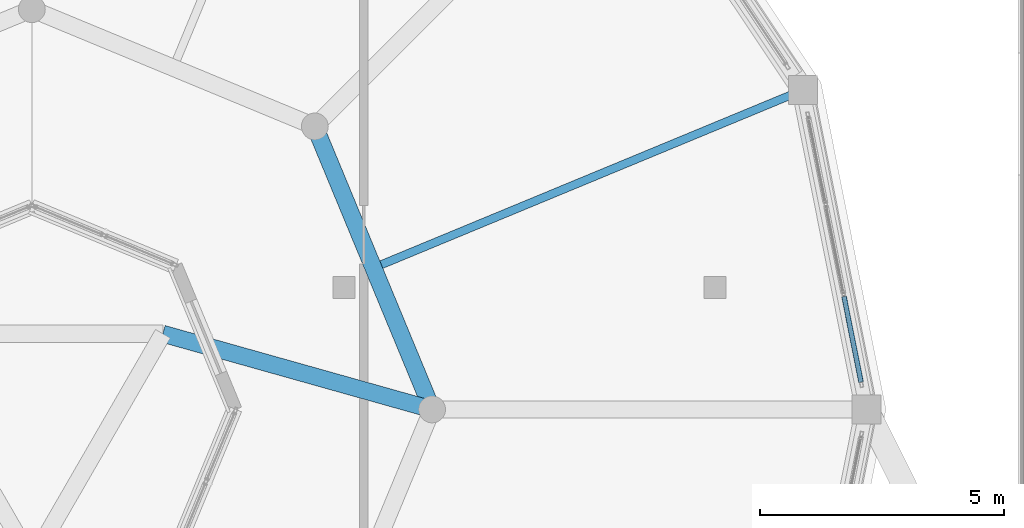
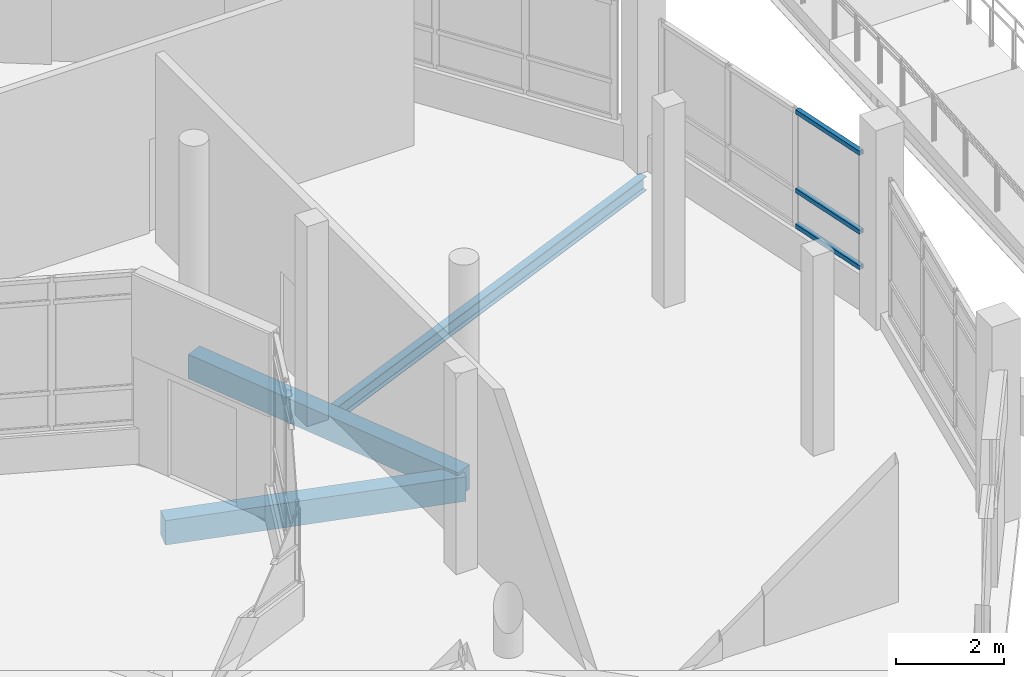
# One storey, part 75 of 129: 3 beams, 3 members, 1 element without a shape of its own.
"""IFC4 building model written with IfcOpenShell, lengths in metres."""

from ifc_helpers import new_model, si_unit, direction, frame, origin, origin_2d, place, context, subcontext, project, spatial, rectangle, hollow_rectangle, i_section, extrude, material, layer, layer_set, material_profile, profile_set, type_object, element, aggregate, save


model = new_model("IFC4")

# Units and contexts
model_context = context("Model", 3, precision=1e-05, world=origin(), true_north=direction((0.0, 1.0)))
body_context = subcontext(model_context, "Body", "Model", "MODEL_VIEW")
ifc_project = project(units=[si_unit("LENGTHUNIT", "METRE"), si_unit("AREAUNIT", "SQUARE_METRE"), si_unit("VOLUMEUNIT", "CUBIC_METRE"), si_unit("PLANEANGLEUNIT", "RADIAN"), si_unit("MASSUNIT", "GRAM", prefix="KILO")], contexts=[model_context])

# Site, building, storey
site_placement = place(None, origin())
site = spatial("IfcSite", under=ifc_project, at=site_placement, CompositionType="ELEMENT")
building_placement = place(site_placement, origin())
building = spatial("IfcBuilding", under=site, at=building_placement, Name="Vespera Passage Community Centre", CompositionType="ELEMENT")
storey_placement = place(building_placement, origin())
storey = spatial("IfcBuildingStorey", under=building, at=storey_placement, Name="L00", CompositionType="ELEMENT", Elevation=0.0)

# Beams
ifc_material_1 = material(Name="Concrete f'c 35 MPa", Category="concrete")
ifc_material_profile_1 = material_profile(ifc_material_1, rectangle(XDim=0.35009765625, YDim=0.550048828125, at=origin_2d()), Name="RC350X550")
ifc_profile_set_1 = profile_set([ifc_material_profile_1], Name="Concrete f'c 35 MPa")
beam_type_1 = type_object("IfcBeamType", Name="BM-J-350X550", PredefinedType="JOIST", material=ifc_profile_set_1)
beam_1_placement = place(storey_placement, frame((149.199951171875, 25.0, -0.554931640625), z_axis=(-0.382664436252, 0.92388740073, 0.0), x_axis=(-0.92388740073, -0.382664436252, 0.0)))
element("IfcBeam", 1, at=beam_1_placement, inside=storey, type_object=beam_type_1, Name="V3 L00 Inner Ring Beam 1", PredefinedType="JOIST", context=body_context, shape_type="SweptSolid", body=[
    extrude(rectangle(XDim=0.35009765625, YDim=0.550048828125, at=origin_2d()), origin(), (0.0, 0.0, 1.0), 6.276123046875),
])
beam_2_placement = place(storey_placement, frame((143.684814453125, 26.550048828125, -0.614990234375), z_axis=(0.962700212454, -0.270570325315, 0.0), x_axis=(0.270570325315, 0.962700212454, 0.0)))
element("IfcBeam", 2, at=beam_2_placement, inside=storey, type_object=beam_type_1, Name="V3 Courtyard Paving Tie Beam", PredefinedType="JOIST", context=body_context, shape_type="SweptSolid", body=[
    extrude(rectangle(XDim=0.35009765625, YDim=0.550048828125, at=origin_2d()), origin(), (0.0, 0.0, 1.0), 5.728759765625),
])
ifc_material_2 = material(Name="Steel ASTM A992 Grade 50", Category="steel")
ifc_material_profile_2 = material_profile(ifc_material_2, i_section(OverallWidth=0.16650390625, OverallDepth=0.3173828125, WebThickness=0.007568359375, FlangeThickness=0.01318359375, FilletRadius=0.007568359375, at=origin_2d()), Name="W12X35")
ifc_profile_set_2 = profile_set([ifc_material_profile_2], Name="Steel ASTM A992 Grade 50")
beam_type_2 = type_object("IfcBeamType", Name="BM-J-W12X35", PredefinedType="JOIST", material=ifc_profile_set_2)
beam_3_placement = place(storey_placement, frame((147.9990234375, 27.899169921875, -0.438720703125), z_axis=(0.923880304795, 0.382681567901, 0.0), x_axis=(-0.382681567901, 0.923880304795, 0.0)))
element("IfcBeam", 3, at=beam_3_placement, inside=storey, type_object=beam_type_2, Name="V3 L00 Secondary Joist 1", PredefinedType="JOIST", context=body_context, shape_type="SweptSolid", body=[
    extrude(i_section(OverallWidth=0.16650390625, OverallDepth=0.3173828125, WebThickness=0.007568359375, FlangeThickness=0.01318359375, FilletRadius=0.007568359375, at=origin_2d()), origin(), (0.0, 0.0, 1.0), 9.5244140625),
])

# Curtain wall, members
ifc_material_3 = material(Name="Anodized aluminium 6063-T6", Category="aluminium")
ifc_layer = layer(ifc_material_3, 0.159912109375)
ifc_layer_set = layer_set([ifc_layer], Name="Anodized aluminium 6063-T6")
curtain_wall_type = type_object("IfcCurtainWallType", Name="CW-101E", PredefinedType="NOTDEFINED", material=ifc_layer_set)
curtain_wall_placement = place(storey_placement, origin())
curtain_wall = element("IfcCurtainWall", 4, at=curtain_wall_placement, inside=storey, type_object=curtain_wall_type, Name="Dining Drum Ribbon Curtain Wall L00.1", PredefinedType="NOTDEFINED")
ifc_material_4 = material(Name="Anodized aluminium 6063-T6", Category="aluminium")
ifc_material_profile_3 = material_profile(ifc_material_4, hollow_rectangle(XDim=0.10009765625, YDim=0.10009765625, WallThickness=0.00390625, InnerFilletRadius=0.001953125, OuterFilletRadius=0.00390625, at=origin_2d()), Name="ALU100X100X4")
ifc_profile_set_3 = profile_set([ifc_material_profile_3], Name="Anodized aluminium 6063-T6")
member_type = type_object("IfcMemberType", Name="MB-CWT-100E", PredefinedType="USERDEFINED", material=ifc_profile_set_3)
member_1_placement = place(storey_placement, frame((157.6396484375, 27.31494140625, 0.85009765625), z_axis=(0.194987665203, -0.980805694528, 0.0), x_axis=(0.980805694528, 0.194987665203, 0.0)))
member_1 = element("IfcMember", 5, at=member_1_placement, type_object=member_type, Name="CW-101E transom 3.1", ObjectType="TRANSOM", PredefinedType="USERDEFINED", context=body_context, shape_type="SweptSolid", body=[
    extrude(hollow_rectangle(XDim=0.10009765625, YDim=0.10009765625, WallThickness=0.00390625, InnerFilletRadius=0.001953125, OuterFilletRadius=0.00390625, at=origin_2d()), origin(), (0.0, 0.0, 1.0), 1.789306640625),
])
member_2_placement = place(storey_placement, frame((157.6396484375, 27.31494140625, 1.64990234375), z_axis=(0.194987665203, -0.980805694528, 0.0), x_axis=(0.980805694528, 0.194987665203, 0.0)))
member_2 = element("IfcMember", 6, at=member_2_placement, type_object=member_type, Name="CW-101E transom 3.2", ObjectType="TRANSOM", PredefinedType="USERDEFINED", context=body_context, shape_type="SweptSolid", body=[
    extrude(hollow_rectangle(XDim=0.10009765625, YDim=0.10009765625, WallThickness=0.00390625, InnerFilletRadius=0.001953125, OuterFilletRadius=0.00390625, at=origin_2d()), origin(), (0.0, 0.0, 1.0), 1.789306640625),
])
member_3_placement = place(storey_placement, frame((157.6396484375, 27.31494140625, 3.425048828125), z_axis=(0.194987665203, -0.980805694528, 0.0), x_axis=(0.980805694528, 0.194987665203, 0.0)))
member_3 = element("IfcMember", 7, at=member_3_placement, type_object=member_type, Name="CW-101E transom 3.3", ObjectType="TRANSOM", PredefinedType="USERDEFINED", context=body_context, shape_type="SweptSolid", body=[
    extrude(hollow_rectangle(XDim=0.10009765625, YDim=0.10009765625, WallThickness=0.00390625, InnerFilletRadius=0.001953125, OuterFilletRadius=0.00390625, at=origin_2d()), origin(), (0.0, 0.0, 1.0), 1.789306640625),
])
aggregate(curtain_wall, [member_1, member_2, member_3])

save(model, "model.ifc")
